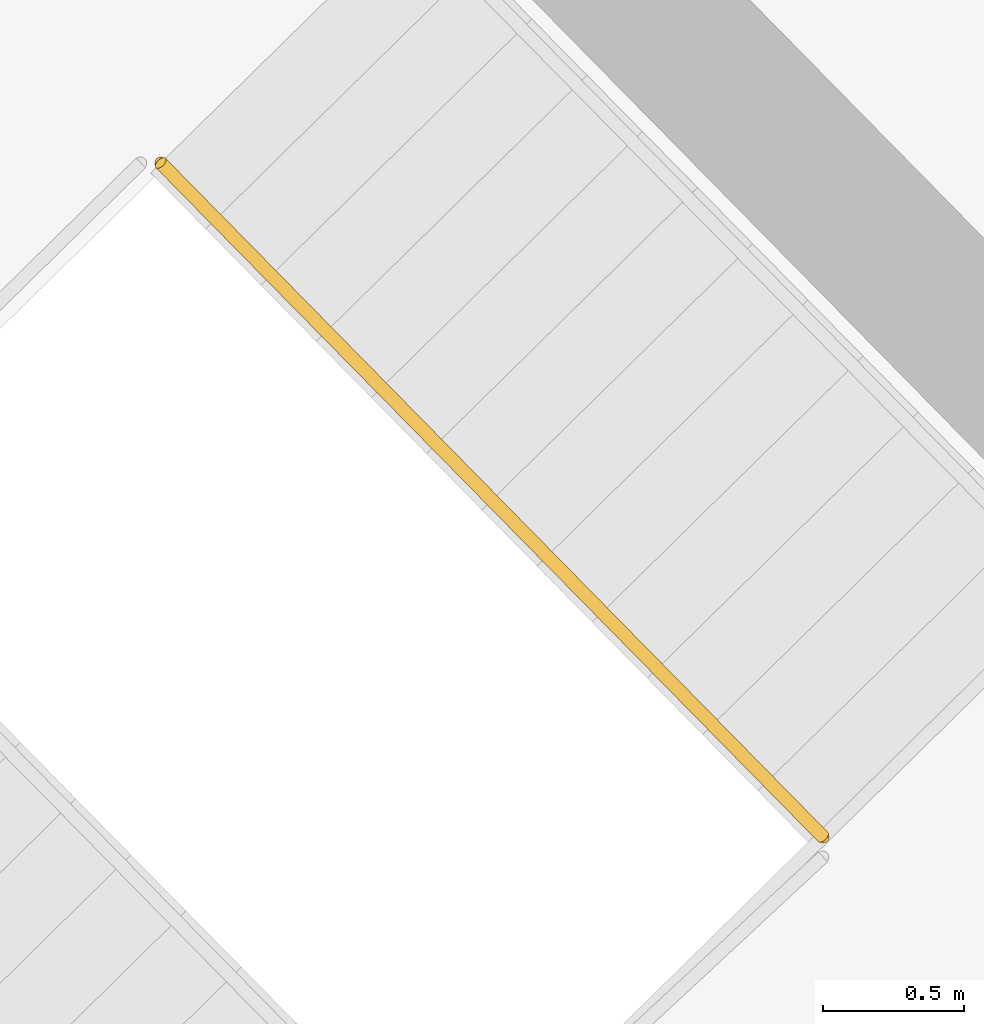
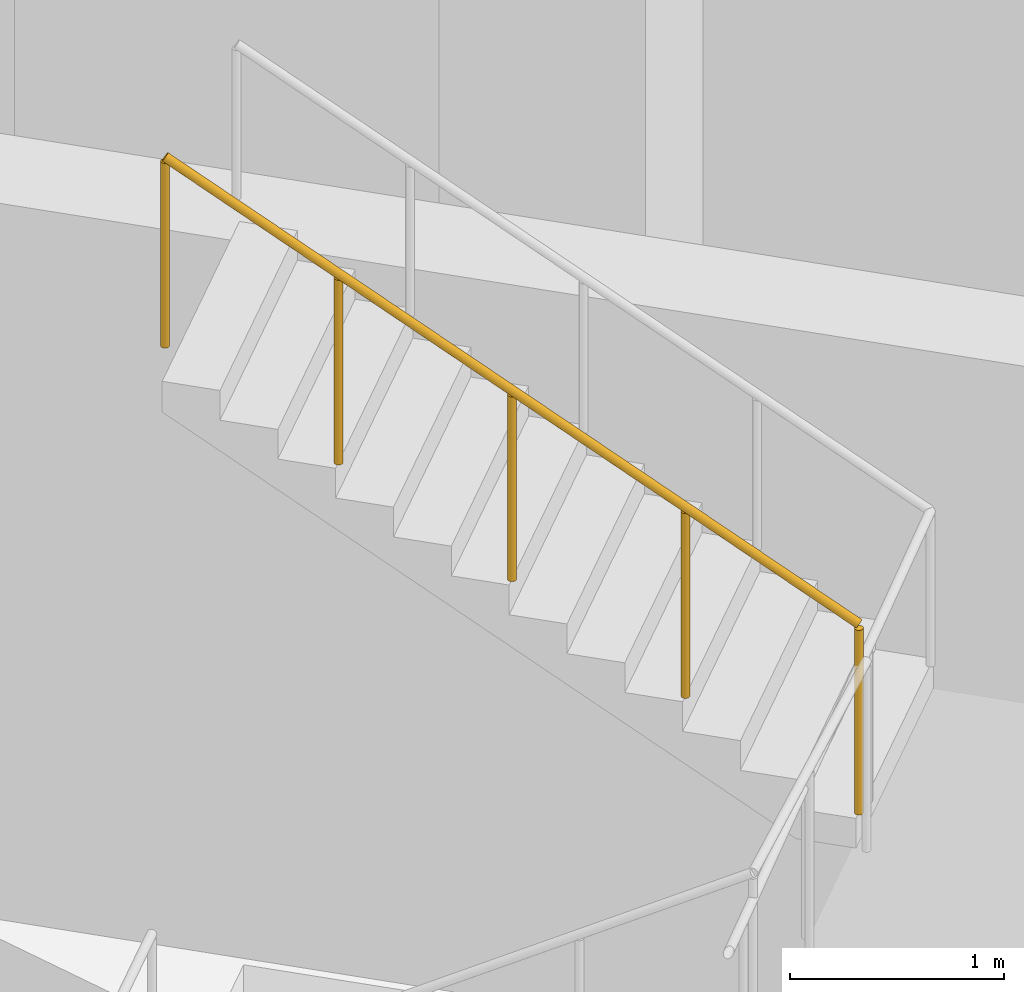
# One storey, part 10 of 10: 1 railing.
"""IFC4 building model written with IfcOpenShell, lengths in metres."""

from ifc_helpers import new_model, si_unit, direction, frame, origin, origin_2d, place, context, subcontext, project, spatial, circle, extrude, material, type_object, element, save


model = new_model("IFC4")

# Units and contexts
model_context = context("Model", 3, precision=1e-05, world=origin(), true_north=direction((0.0, 1.0)))
body_context = subcontext(model_context, "Body", "Model", "MODEL_VIEW")
ifc_project = project(units=[si_unit("LENGTHUNIT", "METRE"), si_unit("AREAUNIT", "SQUARE_METRE"), si_unit("VOLUMEUNIT", "CUBIC_METRE"), si_unit("PLANEANGLEUNIT", "RADIAN"), si_unit("MASSUNIT", "GRAM", prefix="KILO")], contexts=[model_context])

# Site, building, storey
site_placement = place(None, origin())
site = spatial("IfcSite", under=ifc_project, at=site_placement, CompositionType="ELEMENT")
building_placement = place(site_placement, origin())
building = spatial("IfcBuilding", under=site, at=building_placement, Name="Binnacle Exchange Tower", CompositionType="ELEMENT")
storey_placement = place(building_placement, frame((0.0, 0.0, 127.89990234375)))
storey = spatial("IfcBuildingStorey", under=building, at=storey_placement, Name="L26", CompositionType="ELEMENT", Elevation=127.89990234375)

# Railing
ifc_material = material(Name="Steel guard rail", Category="steel")
railing_type = type_object("IfcRailingType", Name="STAIR GUARD 1100", PredefinedType="GUARDRAIL", material=ifc_material)
railing_placement = place(storey_placement, frame((44.4970703125, 45.947021484375, 2.369384765625)))
element("IfcRailing", 1, at=railing_placement, inside=storey, type_object=railing_type, Name="L26 STB1 stair guard 2", PredefinedType="GUARDRAIL", context=body_context, shape_type="SweptSolid", body=[
    extrude(circle(Radius=0.02392578125, at=origin_2d()), frame((0.0, 0.0, 1.076171875), z_axis=(-0.599850224077, 0.610421915772, 0.51726665601), x_axis=(-0.713256128111, -0.700903485305, 0.0)), (0.0, 0.0, 1.0), 3.926025390625),
    extrude(circle(Radius=0.02099609375, at=origin_2d()), origin(), (0.0, 0.0, 1.0), 1.052001953125),
    extrude(circle(Radius=0.02099609375, at=origin_2d()), frame((-0.5888671875, 0.59912109375, 0.5078125)), (0.0, 0.0, 1.0), 1.052001953125),
    extrude(circle(Radius=0.02099609375, at=origin_2d()), frame((-1.177490234375, 1.1982421875, 1.015380859375)), (0.0, 0.0, 1.0), 1.052001953125),
    extrude(circle(Radius=0.02099609375, at=origin_2d()), frame((-1.76611328125, 1.79736328125, 1.52294921875)), (0.0, 0.0, 1.0), 1.052001953125),
    extrude(circle(Radius=0.02099609375, at=origin_2d()), frame((-2.35498046875, 2.396484375, 2.03076171875)), (0.0, 0.0, 1.0), 1.052001953125),
])

save(model, "model.ifc")
